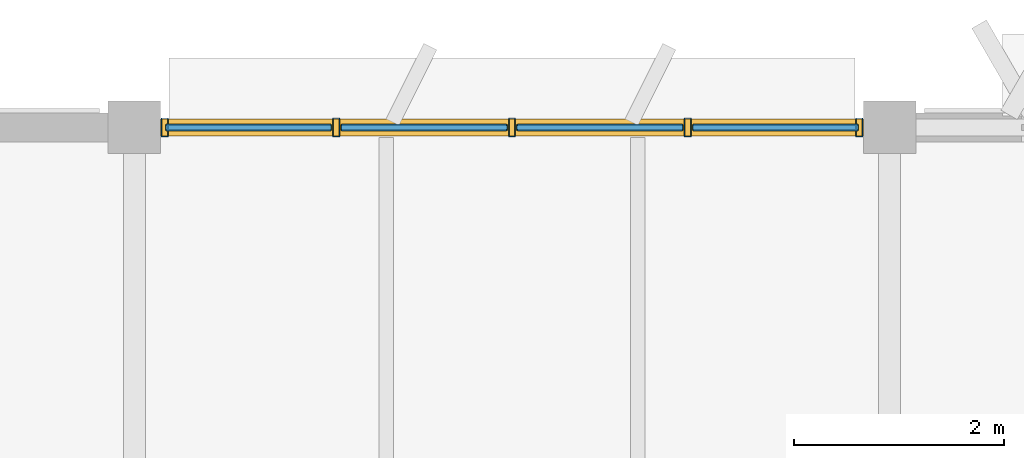
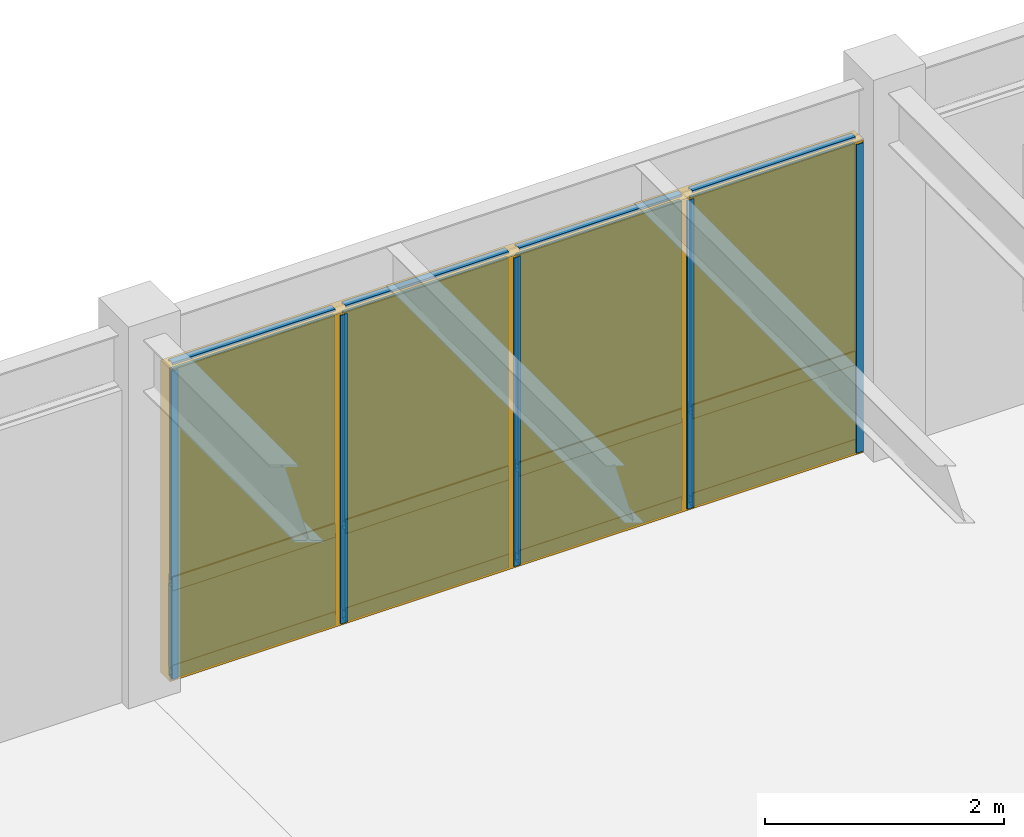
# One storey, part 17 of 23: 17 members, 8 plates, 1 curtain wall.
"""IFC4 building model written with IfcOpenShell, lengths in metres."""

from ifc_helpers import new_model, si_unit, direction, frame, origin, origin_2d, place, context, subcontext, project, spatial, rectangle, hollow_rectangle, extrude, material, layer, layer_set, material_profile, profile_set, type_object, element, aggregate, save


model = new_model("IFC4")

# Units and contexts
model_context = context("Model", 3, precision=1e-05, world=origin(), true_north=direction((0.0, 1.0)))
body_context = subcontext(model_context, "Body", "Model", "MODEL_VIEW")
ifc_project = project(units=[si_unit("LENGTHUNIT", "METRE"), si_unit("AREAUNIT", "SQUARE_METRE"), si_unit("VOLUMEUNIT", "CUBIC_METRE"), si_unit("PLANEANGLEUNIT", "RADIAN"), si_unit("MASSUNIT", "GRAM", prefix="KILO")], contexts=[model_context])

# Member
ifc_material_1 = material(Name="Anodized Aluminium 6063-T6", Category="aluminium")
ifc_material_profile_1 = material_profile(ifc_material_1, hollow_rectangle(XDim=0.06494140625, YDim=0.179931640625, WallThickness=0.00390625, at=origin_2d()), Name="ALU 65x180x4")
ifc_profile_set_1 = profile_set([ifc_material_profile_1], Name="Anodized Aluminium 6063-T6")
member_type_1 = type_object("IfcMemberType", Name="CWM-65X150", PredefinedType="MULLION", material=ifc_profile_set_1)
site_placement = place(None, origin())
building_placement = place(site_placement, origin())
storey_placement = place(building_placement, frame((0.0, 0.0, 21.89990234375)))
member_1_placement = place(storey_placement, frame((79.489990234375, 115.199951171875, 0.02001953125), z_axis=(0.0, 0.0, 1.0), x_axis=(1.0, 0.0, 0.0)))
member_1 = element("IfcMember", 1, at=member_1_placement, type_object=member_type_1, Name="Curtain wall mullion CW-L06-11-15-N-00", PredefinedType="MULLION", context=body_context, shape_type="SweptSolid", body=[
    extrude(hollow_rectangle(XDim=0.06494140625, YDim=0.179931640625, WallThickness=0.00390625, at=origin_2d()), origin(), (0.0, 0.0, 1.0), 3.152099609375),
])

member_2_placement = place(storey_placement, frame((81.125, 115.199951171875, 0.02001953125), z_axis=(0.0, 0.0, 1.0), x_axis=(1.0, 0.0, 0.0)))
member_2 = element("IfcMember", 2, at=member_2_placement, type_object=member_type_1, Name="Curtain wall mullion CW-L06-11-15-N-01", PredefinedType="MULLION", context=body_context, shape_type="SweptSolid", body=[
    extrude(hollow_rectangle(XDim=0.06494140625, YDim=0.179931640625, WallThickness=0.00390625, at=origin_2d()), origin(), (0.0, 0.0, 1.0), 3.152099609375),
])

member_3_placement = place(storey_placement, frame((82.800048828125, 115.199951171875, 0.02001953125), z_axis=(0.0, 0.0, 1.0), x_axis=(1.0, 0.0, 0.0)))
member_3 = element("IfcMember", 3, at=member_3_placement, type_object=member_type_1, Name="Curtain wall mullion CW-L06-11-15-N-02", PredefinedType="MULLION", context=body_context, shape_type="SweptSolid", body=[
    extrude(hollow_rectangle(XDim=0.06494140625, YDim=0.179931640625, WallThickness=0.00390625, at=origin_2d()), origin(), (0.0, 0.0, 1.0), 3.152099609375),
])

member_4_placement = place(storey_placement, frame((84.47509765625, 115.199951171875, 0.02001953125), z_axis=(0.0, 0.0, 1.0), x_axis=(1.0, 0.0, 0.0)))
member_4 = element("IfcMember", 4, at=member_4_placement, type_object=member_type_1, Name="Curtain wall mullion CW-L06-11-15-N-03", PredefinedType="MULLION", context=body_context, shape_type="SweptSolid", body=[
    extrude(hollow_rectangle(XDim=0.06494140625, YDim=0.179931640625, WallThickness=0.00390625, at=origin_2d()), origin(), (0.0, 0.0, 1.0), 3.152099609375),
])

member_5_placement = place(storey_placement, frame((86.110107421875, 115.199951171875, 0.02001953125), z_axis=(0.0, 0.0, 1.0), x_axis=(1.0, 0.0, 0.0)))
member_5 = element("IfcMember", 5, at=member_5_placement, type_object=member_type_1, Name="Curtain wall mullion CW-L06-11-15-N-04", PredefinedType="MULLION", context=body_context, shape_type="SweptSolid", body=[
    extrude(hollow_rectangle(XDim=0.06494140625, YDim=0.179931640625, WallThickness=0.00390625, at=origin_2d()), origin(), (0.0, 0.0, 1.0), 3.152099609375),
])

ifc_material_profile_2 = material_profile(ifc_material_1, hollow_rectangle(XDim=0.06494140625, YDim=0.139892578125, WallThickness=0.00390625, at=origin_2d()), Name="ALU 65x140x4")
ifc_profile_set_2 = profile_set([ifc_material_profile_2], Name="Anodized Aluminium 6063-T6")
member_type_2 = type_object("IfcMemberType", Name="CWT-65X120", PredefinedType="USERDEFINED", material=ifc_profile_set_2)
member_6_placement = place(storey_placement, frame((79.5, 115.199951171875, 0.050048828125), z_axis=(1.0, 0.0, 0.0), x_axis=(0.0, 1.0, 0.0)))
member_6 = element("IfcMember", 6, at=member_6_placement, type_object=member_type_2, Name="Curtain wall transom CW-L06-11-15-N-1.01", ObjectType="TRANSOM", PredefinedType="USERDEFINED", context=body_context, shape_type="SweptSolid", body=[
    extrude(hollow_rectangle(XDim=0.06494140625, YDim=0.139892578125, WallThickness=0.00390625, at=origin_2d()), origin(), (0.0, 0.0, 1.0), 1.574951171875),
])

member_7_placement = place(storey_placement, frame((81.175048828125, 115.199951171875, 0.050048828125), z_axis=(1.0, 0.0, 0.0), x_axis=(0.0, 1.0, 0.0)))
member_7 = element("IfcMember", 7, at=member_7_placement, type_object=member_type_2, Name="Curtain wall transom CW-L06-11-15-N-1.02", ObjectType="TRANSOM", PredefinedType="USERDEFINED", context=body_context, shape_type="SweptSolid", body=[
    extrude(hollow_rectangle(XDim=0.06494140625, YDim=0.139892578125, WallThickness=0.00390625, at=origin_2d()), origin(), (0.0, 0.0, 1.0), 1.574951171875),
])

member_8_placement = place(storey_placement, frame((82.85009765625, 115.199951171875, 0.050048828125), z_axis=(1.0, 0.0, 0.0), x_axis=(0.0, 1.0, 0.0)))
member_8 = element("IfcMember", 8, at=member_8_placement, type_object=member_type_2, Name="Curtain wall transom CW-L06-11-15-N-1.03", ObjectType="TRANSOM", PredefinedType="USERDEFINED", context=body_context, shape_type="SweptSolid", body=[
    extrude(hollow_rectangle(XDim=0.06494140625, YDim=0.139892578125, WallThickness=0.00390625, at=origin_2d()), origin(), (0.0, 0.0, 1.0), 1.574951171875),
])

member_9_placement = place(storey_placement, frame((84.52490234375, 115.199951171875, 0.050048828125), z_axis=(1.0, 0.0, 0.0), x_axis=(0.0, 1.0, 0.0)))
member_9 = element("IfcMember", 9, at=member_9_placement, type_object=member_type_2, Name="Curtain wall transom CW-L06-11-15-N-1.04", ObjectType="TRANSOM", PredefinedType="USERDEFINED", context=body_context, shape_type="SweptSolid", body=[
    extrude(hollow_rectangle(XDim=0.06494140625, YDim=0.139892578125, WallThickness=0.00390625, at=origin_2d()), origin(), (0.0, 0.0, 1.0), 1.5751953125),
])

member_10_placement = place(storey_placement, frame((79.5, 115.199951171875, 0.9501953125), z_axis=(1.0, 0.0, 0.0), x_axis=(0.0, 1.0, 0.0)))
member_10 = element("IfcMember", 10, at=member_10_placement, type_object=member_type_2, Name="Curtain wall transom CW-L06-11-15-N-2.01", ObjectType="TRANSOM", PredefinedType="USERDEFINED", context=body_context, shape_type="SweptSolid", body=[
    extrude(hollow_rectangle(XDim=0.06494140625, YDim=0.139892578125, WallThickness=0.00390625, at=origin_2d()), origin(), (0.0, 0.0, 1.0), 1.574951171875),
])

member_11_placement = place(storey_placement, frame((81.175048828125, 115.199951171875, 0.9501953125), z_axis=(1.0, 0.0, 0.0), x_axis=(0.0, 1.0, 0.0)))
member_11 = element("IfcMember", 11, at=member_11_placement, type_object=member_type_2, Name="Curtain wall transom CW-L06-11-15-N-2.02", ObjectType="TRANSOM", PredefinedType="USERDEFINED", context=body_context, shape_type="SweptSolid", body=[
    extrude(hollow_rectangle(XDim=0.06494140625, YDim=0.139892578125, WallThickness=0.00390625, at=origin_2d()), origin(), (0.0, 0.0, 1.0), 1.574951171875),
])

member_12_placement = place(storey_placement, frame((82.85009765625, 115.199951171875, 0.9501953125), z_axis=(1.0, 0.0, 0.0), x_axis=(0.0, 1.0, 0.0)))
member_12 = element("IfcMember", 12, at=member_12_placement, type_object=member_type_2, Name="Curtain wall transom CW-L06-11-15-N-2.03", ObjectType="TRANSOM", PredefinedType="USERDEFINED", context=body_context, shape_type="SweptSolid", body=[
    extrude(hollow_rectangle(XDim=0.06494140625, YDim=0.139892578125, WallThickness=0.00390625, at=origin_2d()), origin(), (0.0, 0.0, 1.0), 1.574951171875),
])

member_13_placement = place(storey_placement, frame((84.52490234375, 115.199951171875, 0.9501953125), z_axis=(1.0, 0.0, 0.0), x_axis=(0.0, 1.0, 0.0)))
member_13 = element("IfcMember", 13, at=member_13_placement, type_object=member_type_2, Name="Curtain wall transom CW-L06-11-15-N-2.04", ObjectType="TRANSOM", PredefinedType="USERDEFINED", context=body_context, shape_type="SweptSolid", body=[
    extrude(hollow_rectangle(XDim=0.06494140625, YDim=0.139892578125, WallThickness=0.00390625, at=origin_2d()), origin(), (0.0, 0.0, 1.0), 1.5751953125),
])

member_14_placement = place(storey_placement, frame((79.5, 115.199951171875, 3.14208984375), z_axis=(1.0, 0.0, 0.0), x_axis=(0.0, 1.0, 0.0)))
member_14 = element("IfcMember", 14, at=member_14_placement, type_object=member_type_2, Name="Curtain wall transom CW-L06-11-15-N-3.01", ObjectType="TRANSOM", PredefinedType="USERDEFINED", context=body_context, shape_type="SweptSolid", body=[
    extrude(hollow_rectangle(XDim=0.06494140625, YDim=0.139892578125, WallThickness=0.00390625, at=origin_2d()), origin(), (0.0, 0.0, 1.0), 1.574951171875),
])

member_15_placement = place(storey_placement, frame((81.175048828125, 115.199951171875, 3.14208984375), z_axis=(1.0, 0.0, 0.0), x_axis=(0.0, 1.0, 0.0)))
member_15 = element("IfcMember", 15, at=member_15_placement, type_object=member_type_2, Name="Curtain wall transom CW-L06-11-15-N-3.02", ObjectType="TRANSOM", PredefinedType="USERDEFINED", context=body_context, shape_type="SweptSolid", body=[
    extrude(hollow_rectangle(XDim=0.06494140625, YDim=0.139892578125, WallThickness=0.00390625, at=origin_2d()), origin(), (0.0, 0.0, 1.0), 1.574951171875),
])

member_16_placement = place(storey_placement, frame((82.85009765625, 115.199951171875, 3.14208984375), z_axis=(1.0, 0.0, 0.0), x_axis=(0.0, 1.0, 0.0)))
member_16 = element("IfcMember", 16, at=member_16_placement, type_object=member_type_2, Name="Curtain wall transom CW-L06-11-15-N-3.03", ObjectType="TRANSOM", PredefinedType="USERDEFINED", context=body_context, shape_type="SweptSolid", body=[
    extrude(hollow_rectangle(XDim=0.06494140625, YDim=0.139892578125, WallThickness=0.00390625, at=origin_2d()), origin(), (0.0, 0.0, 1.0), 1.574951171875),
])

member_17_placement = place(storey_placement, frame((84.52490234375, 115.199951171875, 3.14208984375), z_axis=(1.0, 0.0, 0.0), x_axis=(0.0, 1.0, 0.0)))
member_17 = element("IfcMember", 17, at=member_17_placement, type_object=member_type_2, Name="Curtain wall transom CW-L06-11-15-N-3.04", ObjectType="TRANSOM", PredefinedType="USERDEFINED", context=body_context, shape_type="SweptSolid", body=[
    extrude(hollow_rectangle(XDim=0.06494140625, YDim=0.139892578125, WallThickness=0.00390625, at=origin_2d()), origin(), (0.0, 0.0, 1.0), 1.5751953125),
])

# Plate
ifc_material_2 = material(Name="Double Low-E Insulated Glazing Unit", Category="glass")
ifc_layer_1 = layer(ifc_material_2, 0.0380859375)
ifc_layer_set_1 = layer_set([ifc_layer_1], Name="Double Low-E Insulated Glazing Unit")
plate_type_1 = type_object("IfcPlateType", Name="CWP-IGU-38", PredefinedType="CURTAIN_PANEL", material=ifc_layer_set_1)
plate_1_placement = place(storey_placement, frame((80.28759765625, 115.199951171875, 0.989990234375), z_axis=(0.0, 0.0, 1.0), x_axis=(1.0, 0.0, 0.0)))
plate_1 = element("IfcPlate", 18, at=plate_1_placement, type_object=plate_type_1, Name="Curtain wall vision glazing CW-L06-11-15-N-01", PredefinedType="CURTAIN_PANEL", context=body_context, shape_type="SweptSolid", body=[
    extrude(rectangle(XDim=1.5849609375, YDim=0.0400390625, at=origin_2d()), origin(), (0.0, 0.0, 1.0), 2.14208984375),
])

plate_2_placement = place(storey_placement, frame((81.96240234375, 115.199951171875, 0.989990234375), z_axis=(0.0, 0.0, 1.0), x_axis=(1.0, 0.0, 0.0)))
plate_2 = element("IfcPlate", 19, at=plate_2_placement, type_object=plate_type_1, Name="Curtain wall vision glazing CW-L06-11-15-N-02", PredefinedType="CURTAIN_PANEL", context=body_context, shape_type="SweptSolid", body=[
    extrude(rectangle(XDim=1.5849609375, YDim=0.0400390625, at=origin_2d()), origin(), (0.0, 0.0, 1.0), 2.14208984375),
])

plate_3_placement = place(storey_placement, frame((83.637451171875, 115.199951171875, 0.989990234375), z_axis=(0.0, 0.0, 1.0), x_axis=(1.0, 0.0, 0.0)))
plate_3 = element("IfcPlate", 20, at=plate_3_placement, type_object=plate_type_1, Name="Curtain wall vision glazing CW-L06-11-15-N-03", PredefinedType="CURTAIN_PANEL", context=body_context, shape_type="SweptSolid", body=[
    extrude(rectangle(XDim=1.5849609375, YDim=0.0400390625, at=origin_2d()), origin(), (0.0, 0.0, 1.0), 2.14208984375),
])

plate_4_placement = place(storey_placement, frame((85.3125, 115.199951171875, 0.989990234375), z_axis=(0.0, 0.0, 1.0), x_axis=(1.0, 0.0, 0.0)))
plate_4 = element("IfcPlate", 21, at=plate_4_placement, type_object=plate_type_1, Name="Curtain wall vision glazing CW-L06-11-15-N-04", PredefinedType="CURTAIN_PANEL", context=body_context, shape_type="SweptSolid", body=[
    extrude(rectangle(XDim=1.5849609375, YDim=0.0400390625, at=origin_2d()), origin(), (0.0, 0.0, 1.0), 2.14208984375),
])

ifc_material_3 = material(Name="Insulated Bronze Aluminium Spandrel", Category="aluminium")
ifc_layer_2 = layer(ifc_material_3, 0.06005859375)
ifc_layer_set_2 = layer_set([ifc_layer_2], Name="Insulated Bronze Aluminium Spandrel")
plate_type_2 = type_object("IfcPlateType", Name="CWP-SPN-60", PredefinedType="CURTAIN_PANEL", material=ifc_layer_set_2)
plate_5_placement = place(storey_placement, frame((80.28759765625, 115.199951171875, 0.080078125), z_axis=(0.0, 0.0, 1.0), x_axis=(1.0, 0.0, 0.0)))
plate_5 = element("IfcPlate", 22, at=plate_5_placement, type_object=plate_type_2, Name="Curtain wall spandrel panel CW-L06-11-15-N-01", PredefinedType="CURTAIN_PANEL", context=body_context, shape_type="SweptSolid", body=[
    extrude(rectangle(XDim=1.5849609375, YDim=0.06005859375, at=origin_2d()), origin(), (0.0, 0.0, 1.0), 0.840087890625),
])

plate_6_placement = place(storey_placement, frame((81.96240234375, 115.199951171875, 0.080078125), z_axis=(0.0, 0.0, 1.0), x_axis=(1.0, 0.0, 0.0)))
plate_6 = element("IfcPlate", 23, at=plate_6_placement, type_object=plate_type_2, Name="Curtain wall spandrel panel CW-L06-11-15-N-02", PredefinedType="CURTAIN_PANEL", context=body_context, shape_type="SweptSolid", body=[
    extrude(rectangle(XDim=1.5849609375, YDim=0.06005859375, at=origin_2d()), origin(), (0.0, 0.0, 1.0), 0.840087890625),
])

plate_7_placement = place(storey_placement, frame((83.637451171875, 115.199951171875, 0.080078125), z_axis=(0.0, 0.0, 1.0), x_axis=(1.0, 0.0, 0.0)))
plate_7 = element("IfcPlate", 24, at=plate_7_placement, type_object=plate_type_2, Name="Curtain wall spandrel panel CW-L06-11-15-N-03", PredefinedType="CURTAIN_PANEL", context=body_context, shape_type="SweptSolid", body=[
    extrude(rectangle(XDim=1.5849609375, YDim=0.06005859375, at=origin_2d()), origin(), (0.0, 0.0, 1.0), 0.840087890625),
])

plate_8_placement = place(storey_placement, frame((85.3125, 115.199951171875, 0.080078125), z_axis=(0.0, 0.0, 1.0), x_axis=(1.0, 0.0, 0.0)))
plate_8 = element("IfcPlate", 25, at=plate_8_placement, type_object=plate_type_2, Name="Curtain wall spandrel panel CW-L06-11-15-N-04", PredefinedType="CURTAIN_PANEL", context=body_context, shape_type="SweptSolid", body=[
    extrude(rectangle(XDim=1.5849609375, YDim=0.06005859375, at=origin_2d()), origin(), (0.0, 0.0, 1.0), 0.840087890625),
])

# Site, building, storey
site = spatial("IfcSite", under=ifc_project, at=site_placement, CompositionType="ELEMENT")
building = spatial("IfcBuilding", under=site, at=building_placement, Name="Sillqori Civic Hall", CompositionType="ELEMENT")
storey = spatial("IfcBuildingStorey", under=building, at=storey_placement, Name="L06", CompositionType="ELEMENT", Elevation=21.89990234375)

# Curtain wall
ifc_material_4 = material(Name="Anodized Aluminium Curtain Wall System", Category="aluminium")
curtain_wall_type = type_object("IfcCurtainWallType", Name="CW-EX-375", PredefinedType="NOTDEFINED", material=ifc_material_4)
curtain_wall_placement = place(storey_placement, frame((82.800048828125, 115.199951171875, 0.000244140625), z_axis=(0.0, 0.0, 1.0), x_axis=(1.0, 0.0, 0.0)))
curtain_wall = element("IfcCurtainWall", 26, at=curtain_wall_placement, inside=storey, type_object=curtain_wall_type, Name="L06 unitised curtain wall CW-L06-11-15-N", PredefinedType="NOTDEFINED", context=body_context, shape_type="SweptSolid", body=[
    extrude(rectangle(XDim=6.699951171875, YDim=0.159912109375, at=origin_2d()), origin(), (0.0, 0.0, 1.0), 3.19189453125),
])

aggregate(curtain_wall, [member_1, member_2, member_3, member_4, member_5, member_6, member_7, member_8, member_9, member_10, member_11, member_12, member_13, member_14, member_15, member_16, member_17, plate_5, plate_1, plate_6, plate_2, plate_7, plate_3, plate_8, plate_4])

save(model, "model.ifc")
